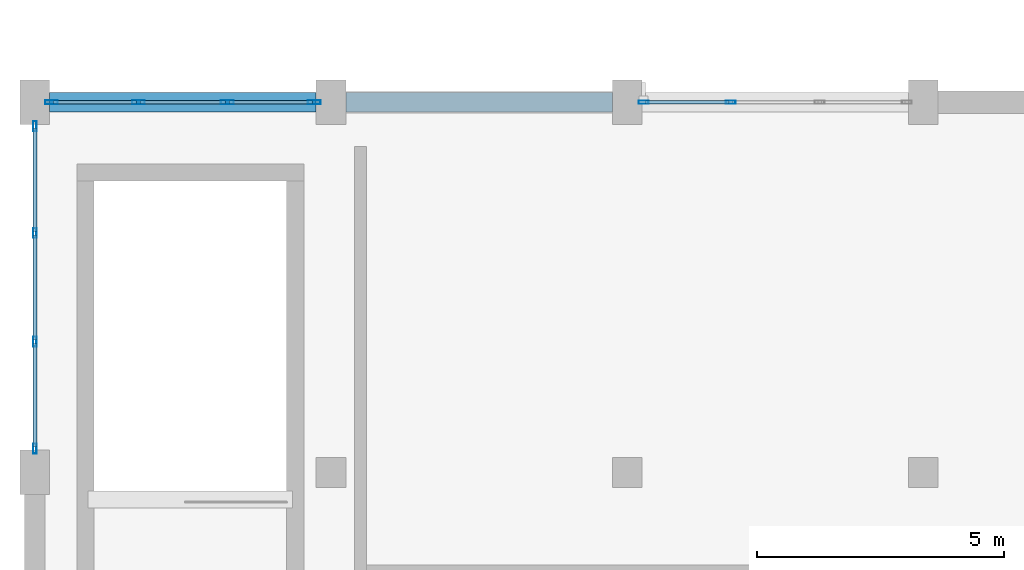
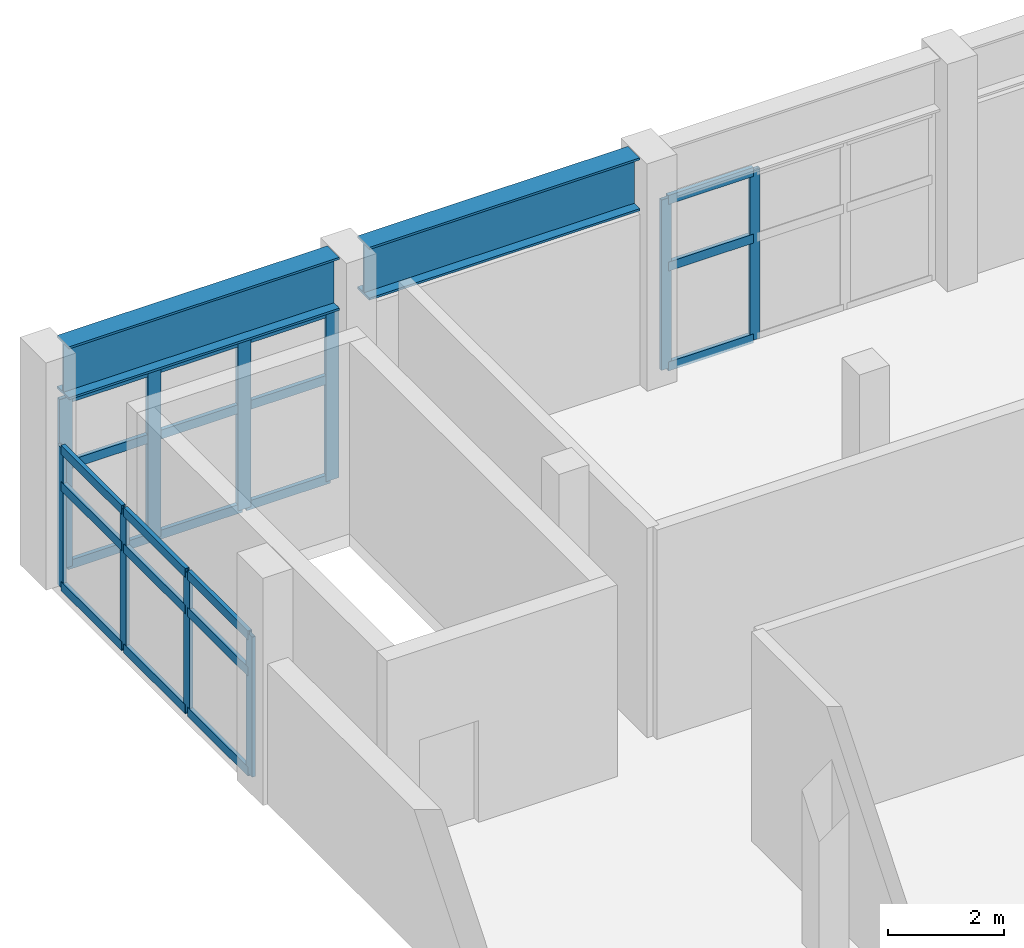
# One storey, part 22 of 62: 31 members, 2 beams, 3 elements without a shape of their own.
"""IFC4 building model written with IfcOpenShell, lengths in metres."""

from ifc_helpers import new_model, si_unit, direction, frame, origin, origin_2d, place, context, subcontext, project, spatial, hollow_rectangle, i_section, extrude, material, layer, layer_set, material_profile, profile_set, type_object, element, aggregate, save


model = new_model("IFC4")

# Units and contexts
model_context = context("Model", 3, precision=1e-05, world=origin(), true_north=direction((0.0, 1.0)))
body_context = subcontext(model_context, "Body", "Model", "MODEL_VIEW")
ifc_project = project(units=[si_unit("LENGTHUNIT", "METRE"), si_unit("AREAUNIT", "SQUARE_METRE"), si_unit("VOLUMEUNIT", "CUBIC_METRE"), si_unit("PLANEANGLEUNIT", "RADIAN"), si_unit("MASSUNIT", "GRAM", prefix="KILO")], contexts=[model_context])

# Site, building, storey
site_placement = place(None, origin())
site = spatial("IfcSite", under=ifc_project, at=site_placement, CompositionType="ELEMENT")
building_placement = place(site_placement, origin())
building = spatial("IfcBuilding", under=site, at=building_placement, Name="Vaelkrest Opera House", CompositionType="ELEMENT")
storey_placement = place(building_placement, frame((0.0, 0.0, 19.800048828125)))
storey = spatial("IfcBuildingStorey", under=building, at=storey_placement, Name="L04", CompositionType="ELEMENT", Elevation=19.800048828125)

# Curtain wall, members
ifc_material_1 = material(Name="Dark bronze anodized aluminium", Category="aluminium")
ifc_layer_1 = layer(ifc_material_1, 0.22998046875)
ifc_layer_set_1 = layer_set([ifc_layer_1], Name="Dark bronze anodized aluminium")
curtain_wall_type_1 = type_object("IfcCurtainWallType", Name="CW06", PredefinedType="NOTDEFINED", material=ifc_layer_set_1)
curtain_wall_1_placement = place(storey_placement, origin())
curtain_wall_1 = element("IfcCurtainWall", 1, at=curtain_wall_1_placement, inside=storey, type_object=curtain_wall_type_1, Name="Curtain wall CW-L04-142", PredefinedType="NOTDEFINED")
ifc_material_profile_1 = material_profile(ifc_material_1, hollow_rectangle(XDim=0.070068359375, YDim=0.199951171875, WallThickness=0.004150390625, at=origin_2d()), Name="CWM70X200")
ifc_profile_set_1 = profile_set([ifc_material_profile_1], Name="Dark bronze anodized aluminium")
member_type_1 = type_object("IfcMemberType", Name="CWM02", PredefinedType="MULLION", material=ifc_profile_set_1)
member_1_placement = place(storey_placement, frame((-75.60009765625, 10.68310546875, 0.0), z_axis=(0.0, 0.0, 1.0), x_axis=(-1.0, 0.0, 0.0)))
member_1 = element("IfcMember", 2, at=member_1_placement, type_object=member_type_1, Name="CW06 mullion 1", PredefinedType="MULLION", context=body_context, shape_type="SweptSolid", body=[
    extrude(hollow_rectangle(XDim=0.070068359375, YDim=0.199951171875, WallThickness=0.004150390625, at=origin_2d()), origin(), (0.0, 0.0, 1.0), 2.9580078125),
])
member_2_placement = place(storey_placement, frame((-75.60009765625, 12.849365234375, 0.0), z_axis=(0.0, 0.0, 1.0), x_axis=(-1.0, 0.0, 0.0)))
member_2 = element("IfcMember", 3, at=member_2_placement, type_object=member_type_1, Name="CW06 mullion 2", PredefinedType="MULLION", context=body_context, shape_type="SweptSolid", body=[
    extrude(hollow_rectangle(XDim=0.070068359375, YDim=0.199951171875, WallThickness=0.004150390625, at=origin_2d()), origin(), (0.0, 0.0, 1.0), 2.9580078125),
])
member_3_placement = place(storey_placement, frame((-75.60009765625, 15.05078125, 0.0), z_axis=(0.0, 0.0, 1.0), x_axis=(-1.0, 0.0, 0.0)))
member_3 = element("IfcMember", 4, at=member_3_placement, type_object=member_type_1, Name="CW06 mullion 3", PredefinedType="MULLION", context=body_context, shape_type="SweptSolid", body=[
    extrude(hollow_rectangle(XDim=0.070068359375, YDim=0.199951171875, WallThickness=0.004150390625, at=origin_2d()), origin(), (0.0, 0.0, 1.0), 2.9580078125),
])
member_4_placement = place(storey_placement, frame((-75.60009765625, 17.217041015625, 0.0), z_axis=(0.0, 0.0, 1.0), x_axis=(-1.0, 0.0, 0.0)))
member_4 = element("IfcMember", 5, at=member_4_placement, type_object=member_type_1, Name="CW06 mullion 4", PredefinedType="MULLION", context=body_context, shape_type="SweptSolid", body=[
    extrude(hollow_rectangle(XDim=0.070068359375, YDim=0.199951171875, WallThickness=0.004150390625, at=origin_2d()), origin(), (0.0, 0.0, 1.0), 2.9580078125),
])

curtain_wall_2_placement = place(storey_placement, origin())
curtain_wall_2 = element("IfcCurtainWall", 6, at=curtain_wall_2_placement, inside=storey, type_object=curtain_wall_type_1, Name="Curtain wall CW-L04-144", PredefinedType="NOTDEFINED")
member_5_placement = place(storey_placement, frame((-63.26708984375, 17.699951171875, 0.0), z_axis=(0.0, 0.0, 1.0), x_axis=(0.0, 1.0, 0.0)))
member_5 = element("IfcMember", 7, at=member_5_placement, type_object=member_type_1, Name="CW06 mullion 1", PredefinedType="MULLION", context=body_context, shape_type="SweptSolid", body=[
    extrude(hollow_rectangle(XDim=0.070068359375, YDim=0.199951171875, WallThickness=0.004150390625, at=origin_2d()), origin(), (0.0, 0.0, 1.0), 3.596923828125),
])
member_6_placement = place(storey_placement, frame((-61.500732421875, 17.699951171875, 0.0), z_axis=(0.0, 0.0, 1.0), x_axis=(0.0, 1.0, 0.0)))
member_6 = element("IfcMember", 8, at=member_6_placement, type_object=member_type_1, Name="CW06 mullion 2", PredefinedType="MULLION", context=body_context, shape_type="SweptSolid", body=[
    extrude(hollow_rectangle(XDim=0.070068359375, YDim=0.199951171875, WallThickness=0.004150390625, at=origin_2d()), origin(), (0.0, 0.0, 1.0), 3.596923828125),
])

ifc_layer_2 = layer(ifc_material_1, 0.2099609375)
ifc_layer_set_2 = layer_set([ifc_layer_2], Name="Dark bronze anodized aluminium")
curtain_wall_type_2 = type_object("IfcCurtainWallType", Name="CW04", PredefinedType="NOTDEFINED", material=ifc_layer_set_2)
curtain_wall_3_placement = place(storey_placement, origin())
curtain_wall_3 = element("IfcCurtainWall", 9, at=curtain_wall_3_placement, inside=storey, type_object=curtain_wall_type_2, Name="Curtain wall CW-L04-143", PredefinedType="NOTDEFINED")
ifc_material_profile_2 = material_profile(ifc_material_1, hollow_rectangle(XDim=0.080078125, YDim=0.260009765625, WallThickness=0.0048828125, at=origin_2d()), Name="CWM80X260")
ifc_profile_set_2 = profile_set([ifc_material_profile_2], Name="Dark bronze anodized aluminium")
member_type_2 = type_object("IfcMemberType", Name="CWM04", PredefinedType="MULLION", material=ifc_profile_set_2)
member_7_placement = place(storey_placement, frame((-75.261962890625, 17.699951171875, 0.0), z_axis=(0.0, 0.0, 1.0), x_axis=(0.0, 1.0, 0.0)))
member_7 = element("IfcMember", 10, at=member_7_placement, type_object=member_type_2, Name="CW04 mullion 1", PredefinedType="MULLION", context=body_context, shape_type="SweptSolid", body=[
    extrude(hollow_rectangle(XDim=0.080078125, YDim=0.260009765625, WallThickness=0.0048828125, at=origin_2d()), origin(), (0.0, 0.0, 1.0), 3.596923828125),
])
member_8_placement = place(storey_placement, frame((-73.500732421875, 17.699951171875, 0.0), z_axis=(0.0, 0.0, 1.0), x_axis=(0.0, 1.0, 0.0)))
member_8 = element("IfcMember", 11, at=member_8_placement, type_object=member_type_2, Name="CW04 mullion 2", PredefinedType="MULLION", context=body_context, shape_type="SweptSolid", body=[
    extrude(hollow_rectangle(XDim=0.080078125, YDim=0.260009765625, WallThickness=0.0048828125, at=origin_2d()), origin(), (0.0, 0.0, 1.0), 3.596923828125),
])
member_9_placement = place(storey_placement, frame((-71.69921875, 17.699951171875, 0.0), z_axis=(0.0, 0.0, 1.0), x_axis=(0.0, 1.0, 0.0)))
member_9 = element("IfcMember", 12, at=member_9_placement, type_object=member_type_2, Name="CW04 mullion 3", PredefinedType="MULLION", context=body_context, shape_type="SweptSolid", body=[
    extrude(hollow_rectangle(XDim=0.080078125, YDim=0.260009765625, WallThickness=0.0048828125, at=origin_2d()), origin(), (0.0, 0.0, 1.0), 3.596923828125),
])
member_10_placement = place(storey_placement, frame((-69.93798828125, 17.699951171875, 0.0), z_axis=(0.0, 0.0, 1.0), x_axis=(0.0, 1.0, 0.0)))
member_10 = element("IfcMember", 13, at=member_10_placement, type_object=member_type_2, Name="CW04 mullion 4", PredefinedType="MULLION", context=body_context, shape_type="SweptSolid", body=[
    extrude(hollow_rectangle(XDim=0.080078125, YDim=0.260009765625, WallThickness=0.0048828125, at=origin_2d()), origin(), (0.0, 0.0, 1.0), 3.596923828125),
])

# Member
ifc_material_profile_3 = material_profile(ifc_material_1, hollow_rectangle(XDim=0.080078125, YDim=0.18994140625, WallThickness=0.0048828125, at=origin_2d()), Name="CWT80X190")
ifc_profile_set_3 = profile_set([ifc_material_profile_3], Name="Dark bronze anodized aluminium")
member_type_3 = type_object("IfcMemberType", Name="CWT04", PredefinedType="USERDEFINED", material=ifc_profile_set_3)
member_11_placement = place(storey_placement, frame((-75.60009765625, 10.718017578125, 0.0400390625), z_axis=(0.0, 1.0, 0.0), x_axis=(-1.0, 0.0, 0.0)))
member_11 = element("IfcMember", 14, at=member_11_placement, type_object=member_type_3, Name="CW06 transom 1.1", ObjectType="TRANSOM", PredefinedType="USERDEFINED", context=body_context, shape_type="SweptSolid", body=[
    extrude(hollow_rectangle(XDim=0.080078125, YDim=0.18994140625, WallThickness=0.0048828125, at=origin_2d()), origin(), (0.0, 0.0, 1.0), 2.096435546875),
])

member_12_placement = place(storey_placement, frame((-75.60009765625, 10.718017578125, 2.14990234375), z_axis=(0.0, 1.0, 0.0), x_axis=(-1.0, 0.0, 0.0)))
member_12 = element("IfcMember", 15, at=member_12_placement, type_object=member_type_3, Name="CW06 transom 1.2", ObjectType="TRANSOM", PredefinedType="USERDEFINED", context=body_context, shape_type="SweptSolid", body=[
    extrude(hollow_rectangle(XDim=0.080078125, YDim=0.18994140625, WallThickness=0.0048828125, at=origin_2d()), origin(), (0.0, 0.0, 1.0), 2.096435546875),
])

member_13_placement = place(storey_placement, frame((-75.60009765625, 10.718017578125, 2.91796875), z_axis=(0.0, 1.0, 0.0), x_axis=(-1.0, 0.0, 0.0)))
member_13 = element("IfcMember", 16, at=member_13_placement, type_object=member_type_3, Name="CW06 transom 1.3", ObjectType="TRANSOM", PredefinedType="USERDEFINED", context=body_context, shape_type="SweptSolid", body=[
    extrude(hollow_rectangle(XDim=0.080078125, YDim=0.18994140625, WallThickness=0.0048828125, at=origin_2d()), origin(), (0.0, 0.0, 1.0), 2.096435546875),
])

member_14_placement = place(storey_placement, frame((-75.60009765625, 12.88427734375, 0.0400390625), z_axis=(0.0, 1.0, 0.0), x_axis=(-1.0, 0.0, 0.0)))
member_14 = element("IfcMember", 17, at=member_14_placement, type_object=member_type_3, Name="CW06 transom 2.1", ObjectType="TRANSOM", PredefinedType="USERDEFINED", context=body_context, shape_type="SweptSolid", body=[
    extrude(hollow_rectangle(XDim=0.080078125, YDim=0.18994140625, WallThickness=0.0048828125, at=origin_2d()), origin(), (0.0, 0.0, 1.0), 2.13134765625),
])

member_15_placement = place(storey_placement, frame((-75.60009765625, 12.88427734375, 2.14990234375), z_axis=(0.0, 1.0, 0.0), x_axis=(-1.0, 0.0, 0.0)))
member_15 = element("IfcMember", 18, at=member_15_placement, type_object=member_type_3, Name="CW06 transom 2.2", ObjectType="TRANSOM", PredefinedType="USERDEFINED", context=body_context, shape_type="SweptSolid", body=[
    extrude(hollow_rectangle(XDim=0.080078125, YDim=0.18994140625, WallThickness=0.0048828125, at=origin_2d()), origin(), (0.0, 0.0, 1.0), 2.13134765625),
])

member_16_placement = place(storey_placement, frame((-75.60009765625, 12.88427734375, 2.91796875), z_axis=(0.0, 1.0, 0.0), x_axis=(-1.0, 0.0, 0.0)))
member_16 = element("IfcMember", 19, at=member_16_placement, type_object=member_type_3, Name="CW06 transom 2.3", ObjectType="TRANSOM", PredefinedType="USERDEFINED", context=body_context, shape_type="SweptSolid", body=[
    extrude(hollow_rectangle(XDim=0.080078125, YDim=0.18994140625, WallThickness=0.0048828125, at=origin_2d()), origin(), (0.0, 0.0, 1.0), 2.13134765625),
])

member_17_placement = place(storey_placement, frame((-75.60009765625, 15.085693359375, 0.0400390625), z_axis=(0.0, 1.0, 0.0), x_axis=(-1.0, 0.0, 0.0)))
member_17 = element("IfcMember", 20, at=member_17_placement, type_object=member_type_3, Name="CW06 transom 3.1", ObjectType="TRANSOM", PredefinedType="USERDEFINED", context=body_context, shape_type="SweptSolid", body=[
    extrude(hollow_rectangle(XDim=0.080078125, YDim=0.18994140625, WallThickness=0.0048828125, at=origin_2d()), origin(), (0.0, 0.0, 1.0), 2.09619140625),
])

member_18_placement = place(storey_placement, frame((-75.60009765625, 15.085693359375, 2.14990234375), z_axis=(0.0, 1.0, 0.0), x_axis=(-1.0, 0.0, 0.0)))
member_18 = element("IfcMember", 21, at=member_18_placement, type_object=member_type_3, Name="CW06 transom 3.2", ObjectType="TRANSOM", PredefinedType="USERDEFINED", context=body_context, shape_type="SweptSolid", body=[
    extrude(hollow_rectangle(XDim=0.080078125, YDim=0.18994140625, WallThickness=0.0048828125, at=origin_2d()), origin(), (0.0, 0.0, 1.0), 2.09619140625),
])

member_19_placement = place(storey_placement, frame((-75.60009765625, 15.085693359375, 2.91796875), z_axis=(0.0, 1.0, 0.0), x_axis=(-1.0, 0.0, 0.0)))
member_19 = element("IfcMember", 22, at=member_19_placement, type_object=member_type_3, Name="CW06 transom 3.3", ObjectType="TRANSOM", PredefinedType="USERDEFINED", context=body_context, shape_type="SweptSolid", body=[
    extrude(hollow_rectangle(XDim=0.080078125, YDim=0.18994140625, WallThickness=0.0048828125, at=origin_2d()), origin(), (0.0, 0.0, 1.0), 2.09619140625),
])

aggregate(curtain_wall_1, [member_1, member_2, member_3, member_4, member_11, member_12, member_13, member_14, member_15, member_16, member_17, member_18, member_19])

member_20_placement = place(storey_placement, frame((-75.221923828125, 17.699951171875, 0.0400390625), z_axis=(1.0, 0.0, 0.0), x_axis=(0.0, 1.0, 0.0)))
member_20 = element("IfcMember", 23, at=member_20_placement, type_object=member_type_3, Name="CW04 transom 1.1", ObjectType="TRANSOM", PredefinedType="USERDEFINED", context=body_context, shape_type="SweptSolid", body=[
    extrude(hollow_rectangle(XDim=0.080078125, YDim=0.18994140625, WallThickness=0.0048828125, at=origin_2d()), origin(), (0.0, 0.0, 1.0), 1.68115234375),
])

member_21_placement = place(storey_placement, frame((-75.221923828125, 17.699951171875, 2.14990234375), z_axis=(1.0, 0.0, 0.0), x_axis=(0.0, 1.0, 0.0)))
member_21 = element("IfcMember", 24, at=member_21_placement, type_object=member_type_3, Name="CW04 transom 1.2", ObjectType="TRANSOM", PredefinedType="USERDEFINED", context=body_context, shape_type="SweptSolid", body=[
    extrude(hollow_rectangle(XDim=0.080078125, YDim=0.18994140625, WallThickness=0.0048828125, at=origin_2d()), origin(), (0.0, 0.0, 1.0), 1.68115234375),
])

member_22_placement = place(storey_placement, frame((-75.221923828125, 17.699951171875, 3.556884765625), z_axis=(1.0, 0.0, 0.0), x_axis=(0.0, 1.0, 0.0)))
member_22 = element("IfcMember", 25, at=member_22_placement, type_object=member_type_3, Name="CW04 transom 1.3", ObjectType="TRANSOM", PredefinedType="USERDEFINED", context=body_context, shape_type="SweptSolid", body=[
    extrude(hollow_rectangle(XDim=0.080078125, YDim=0.18994140625, WallThickness=0.0048828125, at=origin_2d()), origin(), (0.0, 0.0, 1.0), 1.68115234375),
])

member_23_placement = place(storey_placement, frame((-73.460693359375, 17.699951171875, 0.0400390625), z_axis=(1.0, 0.0, 0.0), x_axis=(0.0, 1.0, 0.0)))
member_23 = element("IfcMember", 26, at=member_23_placement, type_object=member_type_3, Name="CW04 transom 2.1", ObjectType="TRANSOM", PredefinedType="USERDEFINED", context=body_context, shape_type="SweptSolid", body=[
    extrude(hollow_rectangle(XDim=0.080078125, YDim=0.18994140625, WallThickness=0.0048828125, at=origin_2d()), origin(), (0.0, 0.0, 1.0), 1.721435546875),
])

member_24_placement = place(storey_placement, frame((-73.460693359375, 17.699951171875, 2.14990234375), z_axis=(1.0, 0.0, 0.0), x_axis=(0.0, 1.0, 0.0)))
member_24 = element("IfcMember", 27, at=member_24_placement, type_object=member_type_3, Name="CW04 transom 2.2", ObjectType="TRANSOM", PredefinedType="USERDEFINED", context=body_context, shape_type="SweptSolid", body=[
    extrude(hollow_rectangle(XDim=0.080078125, YDim=0.18994140625, WallThickness=0.0048828125, at=origin_2d()), origin(), (0.0, 0.0, 1.0), 1.721435546875),
])

member_25_placement = place(storey_placement, frame((-73.460693359375, 17.699951171875, 3.556884765625), z_axis=(1.0, 0.0, 0.0), x_axis=(0.0, 1.0, 0.0)))
member_25 = element("IfcMember", 28, at=member_25_placement, type_object=member_type_3, Name="CW04 transom 2.3", ObjectType="TRANSOM", PredefinedType="USERDEFINED", context=body_context, shape_type="SweptSolid", body=[
    extrude(hollow_rectangle(XDim=0.080078125, YDim=0.18994140625, WallThickness=0.0048828125, at=origin_2d()), origin(), (0.0, 0.0, 1.0), 1.721435546875),
])

member_26_placement = place(storey_placement, frame((-71.659423828125, 17.699951171875, 0.0400390625), z_axis=(1.0, 0.0, 0.0), x_axis=(0.0, 1.0, 0.0)))
member_26 = element("IfcMember", 29, at=member_26_placement, type_object=member_type_3, Name="CW04 transom 3.1", ObjectType="TRANSOM", PredefinedType="USERDEFINED", context=body_context, shape_type="SweptSolid", body=[
    extrude(hollow_rectangle(XDim=0.080078125, YDim=0.18994140625, WallThickness=0.0048828125, at=origin_2d()), origin(), (0.0, 0.0, 1.0), 1.681396484375),
])

member_27_placement = place(storey_placement, frame((-71.659423828125, 17.699951171875, 2.14990234375), z_axis=(1.0, 0.0, 0.0), x_axis=(0.0, 1.0, 0.0)))
member_27 = element("IfcMember", 30, at=member_27_placement, type_object=member_type_3, Name="CW04 transom 3.2", ObjectType="TRANSOM", PredefinedType="USERDEFINED", context=body_context, shape_type="SweptSolid", body=[
    extrude(hollow_rectangle(XDim=0.080078125, YDim=0.18994140625, WallThickness=0.0048828125, at=origin_2d()), origin(), (0.0, 0.0, 1.0), 1.681396484375),
])

member_28_placement = place(storey_placement, frame((-71.659423828125, 17.699951171875, 3.556884765625), z_axis=(1.0, 0.0, 0.0), x_axis=(0.0, 1.0, 0.0)))
member_28 = element("IfcMember", 31, at=member_28_placement, type_object=member_type_3, Name="CW04 transom 3.3", ObjectType="TRANSOM", PredefinedType="USERDEFINED", context=body_context, shape_type="SweptSolid", body=[
    extrude(hollow_rectangle(XDim=0.080078125, YDim=0.18994140625, WallThickness=0.0048828125, at=origin_2d()), origin(), (0.0, 0.0, 1.0), 1.681396484375),
])

aggregate(curtain_wall_3, [member_7, member_8, member_9, member_10, member_20, member_21, member_22, member_23, member_24, member_25, member_26, member_27, member_28])

member_29_placement = place(storey_placement, frame((-63.23193359375, 17.699951171875, 0.0400390625), z_axis=(1.0, 0.0, 0.0), x_axis=(0.0, 1.0, 0.0)))
member_29 = element("IfcMember", 32, at=member_29_placement, type_object=member_type_3, Name="CW06 transom 1.1", ObjectType="TRANSOM", PredefinedType="USERDEFINED", context=body_context, shape_type="SweptSolid", body=[
    extrude(hollow_rectangle(XDim=0.080078125, YDim=0.18994140625, WallThickness=0.0048828125, at=origin_2d()), origin(), (0.0, 0.0, 1.0), 1.6962890625),
])

member_30_placement = place(storey_placement, frame((-63.23193359375, 17.699951171875, 2.14990234375), z_axis=(1.0, 0.0, 0.0), x_axis=(0.0, 1.0, 0.0)))
member_30 = element("IfcMember", 33, at=member_30_placement, type_object=member_type_3, Name="CW06 transom 1.2", ObjectType="TRANSOM", PredefinedType="USERDEFINED", context=body_context, shape_type="SweptSolid", body=[
    extrude(hollow_rectangle(XDim=0.080078125, YDim=0.18994140625, WallThickness=0.0048828125, at=origin_2d()), origin(), (0.0, 0.0, 1.0), 1.6962890625),
])

member_31_placement = place(storey_placement, frame((-63.23193359375, 17.699951171875, 3.556884765625), z_axis=(1.0, 0.0, 0.0), x_axis=(0.0, 1.0, 0.0)))
member_31 = element("IfcMember", 34, at=member_31_placement, type_object=member_type_3, Name="CW06 transom 1.3", ObjectType="TRANSOM", PredefinedType="USERDEFINED", context=body_context, shape_type="SweptSolid", body=[
    extrude(hollow_rectangle(XDim=0.080078125, YDim=0.18994140625, WallThickness=0.0048828125, at=origin_2d()), origin(), (0.0, 0.0, 1.0), 1.6962890625),
])

aggregate(curtain_wall_2, [member_5, member_6, member_29, member_30, member_31])

# Beams
ifc_material_2 = material(Name="Steel A992 Gr50", Category="steel")
ifc_material_profile_4 = material_profile(ifc_material_2, i_section(OverallWidth=0.405029296875, OverallDepth=1.117919921875, WebThickness=0.02587890625, FlangeThickness=0.044921875, at=origin_2d()), Name="W44X335")
ifc_profile_set_4 = profile_set([ifc_material_profile_4], Name="Steel A992 Gr50")
beam_type = type_object("IfcBeamType", Name="SP05", PredefinedType="SPANDREL", material=ifc_profile_set_4)
for number, where, z_axis, x_axis, name in (
    (35, (-75.300048828125, 17.699951171875, 4.220947265625), (1.0, 0.0, 0.0), (0.0, 1.0, 0.0), "Beam BM-V3-L04-1810"),
    (36, (-69.300048828125, 17.699951171875, 4.220947265625), (1.0, 0.0, 0.0), (0.0, 1.0, 0.0), "Beam BM-V3-L04-1811"),
):
    element("IfcBeam", number, at=place(storey_placement, frame(where, z_axis=z_axis, x_axis=x_axis)), inside=storey, type_object=beam_type, Name=name, PredefinedType="SPANDREL", context=body_context, shape_type="SweptSolid", body=[
        extrude(i_section(OverallWidth=0.405029296875, OverallDepth=1.117919921875, WebThickness=0.02587890625, FlangeThickness=0.044921875, at=origin_2d()), origin(), (0.0, 0.0, 1.0), 5.400146484375),
    ])

save(model, "model.ifc")
